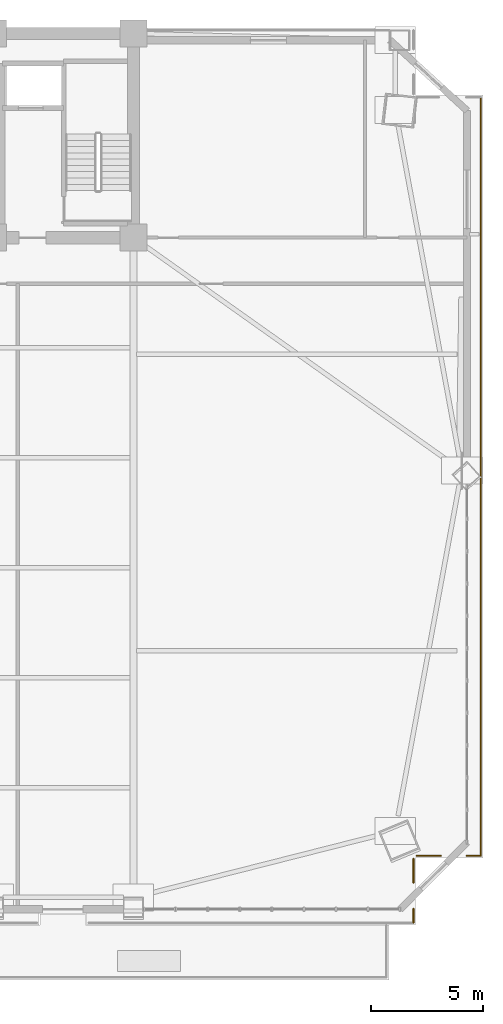
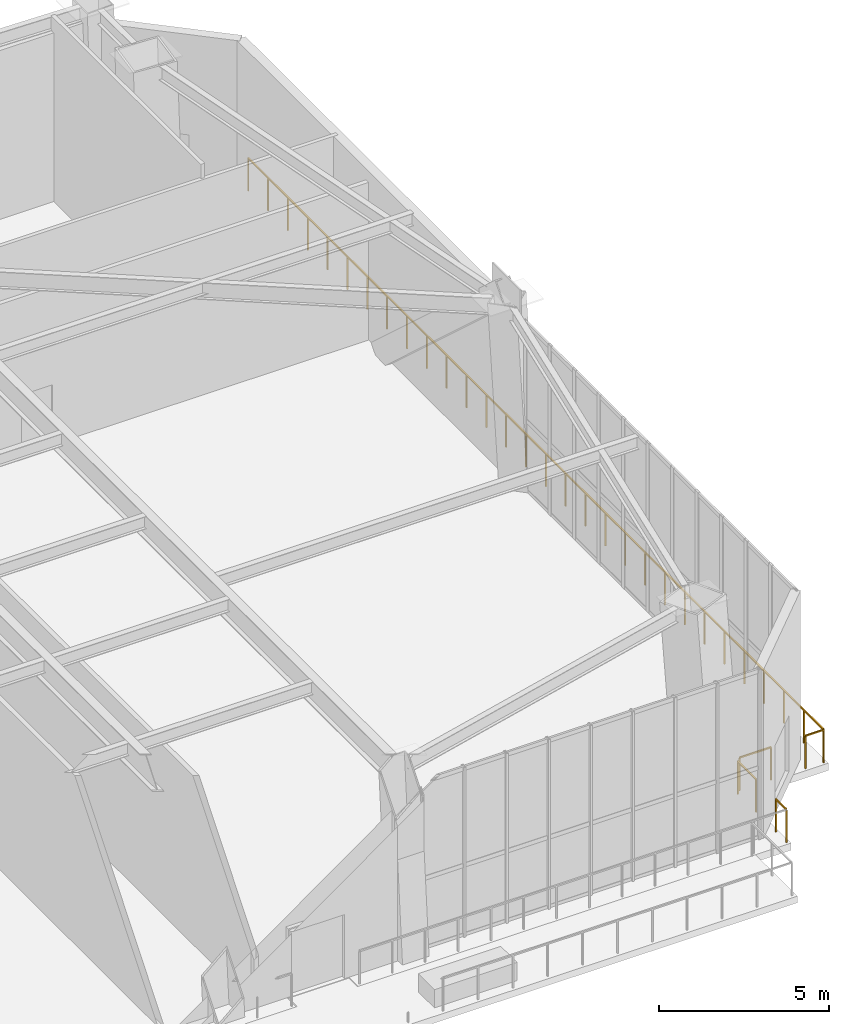
# One storey, part 20 of 22: 5 railings.
"""IFC4 building model written with IfcOpenShell, lengths in metres."""

from ifc_helpers import new_model, si_unit, direction, frame, origin, origin_2d, place, context, subcontext, project, spatial, rectangle, extrude, material, type_object, element, save


model = new_model("IFC4")

# Units and contexts
model_context = context("Model", 3, precision=1e-05, world=origin(), true_north=direction((0.0, 1.0)))
body_context = subcontext(model_context, "Body", "Model", "MODEL_VIEW")
ifc_project = project(units=[si_unit("LENGTHUNIT", "METRE"), si_unit("AREAUNIT", "SQUARE_METRE"), si_unit("VOLUMEUNIT", "CUBIC_METRE"), si_unit("PLANEANGLEUNIT", "RADIAN"), si_unit("MASSUNIT", "GRAM", prefix="KILO")], contexts=[model_context])

# Site, building, storey
site_placement = place(None, origin())
site = spatial("IfcSite", under=ifc_project, at=site_placement, CompositionType="ELEMENT")
building_placement = place(site_placement, origin())
building = spatial("IfcBuilding", under=site, at=building_placement, Name="Giltprow Tower", CompositionType="ELEMENT")
storey_placement = place(building_placement, frame((0.0, 0.0, 130.89990234375)))
storey = spatial("IfcBuildingStorey", under=building, at=storey_placement, Name="L32", CompositionType="ELEMENT", Elevation=130.89990234375)

# Railings
ifc_material = material(Name="Anodized bronze", Category="metal")
railing_type = type_object("IfcRailingType", Name="RAIL-BALC-GUARD-1200", PredefinedType="BALUSTRADE", material=ifc_material)
railing_1_placement = place(storey_placement, frame((66.02099609375, 43.708984375, 0.0)))
element("IfcRailing", 1, at=railing_1_placement, inside=storey, type_object=railing_type, Name="L32 Corner Apron Edge Balustrade 16", PredefinedType="BALUSTRADE", context=body_context, shape_type="SweptSolid", body=[
    extrude(rectangle(XDim=0.048095703125, YDim=0.048095703125, at=origin_2d()), frame((0.0, 0.0, 1.17578125), z_axis=(0.0, -1.0, 0.0), x_axis=(1.0, 0.0, 0.0)), (0.0, 0.0, 1.0), 33.800048828125),
    extrude(rectangle(XDim=0.0419921875, YDim=0.0419921875, at=origin_2d()), origin(), (0.0, 0.0, 1.0), 1.15185546875),
    extrude(rectangle(XDim=0.0419921875, YDim=0.0419921875, at=origin_2d()), frame((0.0, -1.16552734375, 0.0)), (0.0, 0.0, 1.0), 1.15185546875),
    extrude(rectangle(XDim=0.0419921875, YDim=0.0419921875, at=origin_2d()), frame((0.0, -2.3310546875, 0.0)), (0.0, 0.0, 1.0), 1.15185546875),
    extrude(rectangle(XDim=0.0419921875, YDim=0.0419921875, at=origin_2d()), frame((0.0, -3.49658203125, 0.0)), (0.0, 0.0, 1.0), 1.15185546875),
    extrude(rectangle(XDim=0.0419921875, YDim=0.0419921875, at=origin_2d()), frame((0.0, -4.662109375, 0.0)), (0.0, 0.0, 1.0), 1.15185546875),
    extrude(rectangle(XDim=0.0419921875, YDim=0.0419921875, at=origin_2d()), frame((0.0, -5.82763671875, 0.0)), (0.0, 0.0, 1.0), 1.15185546875),
    extrude(rectangle(XDim=0.0419921875, YDim=0.0419921875, at=origin_2d()), frame((0.0, -6.9931640625, 0.0)), (0.0, 0.0, 1.0), 1.15185546875),
    extrude(rectangle(XDim=0.0419921875, YDim=0.0419921875, at=origin_2d()), frame((0.0, -8.15869140625, 0.0)), (0.0, 0.0, 1.0), 1.15185546875),
    extrude(rectangle(XDim=0.0419921875, YDim=0.0419921875, at=origin_2d()), frame((0.0, -9.32421875, 0.0)), (0.0, 0.0, 1.0), 1.15185546875),
    extrude(rectangle(XDim=0.0419921875, YDim=0.0419921875, at=origin_2d()), frame((0.0, -10.48974609375, 0.0)), (0.0, 0.0, 1.0), 1.15185546875),
    extrude(rectangle(XDim=0.0419921875, YDim=0.0419921875, at=origin_2d()), frame((0.0, -11.6552734375, 0.0)), (0.0, 0.0, 1.0), 1.15185546875),
    extrude(rectangle(XDim=0.0419921875, YDim=0.0419921875, at=origin_2d()), frame((0.0, -12.82080078125, 0.0)), (0.0, 0.0, 1.0), 1.15185546875),
    extrude(rectangle(XDim=0.0419921875, YDim=0.0419921875, at=origin_2d()), frame((0.0, -13.986328125, 0.0)), (0.0, 0.0, 1.0), 1.15185546875),
    extrude(rectangle(XDim=0.0419921875, YDim=0.0419921875, at=origin_2d()), frame((0.0, -15.15185546875, 0.0)), (0.0, 0.0, 1.0), 1.15185546875),
    extrude(rectangle(XDim=0.0419921875, YDim=0.0419921875, at=origin_2d()), frame((0.0, -16.3173828125, 0.0)), (0.0, 0.0, 1.0), 1.15185546875),
    extrude(rectangle(XDim=0.0419921875, YDim=0.0419921875, at=origin_2d()), frame((0.0, -17.482666015625, 0.0)), (0.0, 0.0, 1.0), 1.15185546875),
    extrude(rectangle(XDim=0.0419921875, YDim=0.0419921875, at=origin_2d()), frame((0.0, -18.648193359375, 0.0)), (0.0, 0.0, 1.0), 1.15185546875),
    extrude(rectangle(XDim=0.0419921875, YDim=0.0419921875, at=origin_2d()), frame((0.0, -19.813720703125, 0.0)), (0.0, 0.0, 1.0), 1.15185546875),
    extrude(rectangle(XDim=0.0419921875, YDim=0.0419921875, at=origin_2d()), frame((0.0, -20.979248046875, 0.0)), (0.0, 0.0, 1.0), 1.15185546875),
    extrude(rectangle(XDim=0.0419921875, YDim=0.0419921875, at=origin_2d()), frame((0.0, -22.144775390625, 0.0)), (0.0, 0.0, 1.0), 1.15185546875),
    extrude(rectangle(XDim=0.0419921875, YDim=0.0419921875, at=origin_2d()), frame((0.0, -23.310302734375, 0.0)), (0.0, 0.0, 1.0), 1.15185546875),
    extrude(rectangle(XDim=0.0419921875, YDim=0.0419921875, at=origin_2d()), frame((0.0, -24.475830078125, 0.0)), (0.0, 0.0, 1.0), 1.15185546875),
    extrude(rectangle(XDim=0.0419921875, YDim=0.0419921875, at=origin_2d()), frame((0.0, -25.641357421875, 0.0)), (0.0, 0.0, 1.0), 1.15185546875),
    extrude(rectangle(XDim=0.0419921875, YDim=0.0419921875, at=origin_2d()), frame((0.0, -26.806884765625, 0.0)), (0.0, 0.0, 1.0), 1.15185546875),
    extrude(rectangle(XDim=0.0419921875, YDim=0.0419921875, at=origin_2d()), frame((0.0, -27.972412109375, 0.0)), (0.0, 0.0, 1.0), 1.15185546875),
    extrude(rectangle(XDim=0.0419921875, YDim=0.0419921875, at=origin_2d()), frame((0.0, -29.137939453125, 0.0)), (0.0, 0.0, 1.0), 1.15185546875),
    extrude(rectangle(XDim=0.0419921875, YDim=0.0419921875, at=origin_2d()), frame((0.0, -30.303466796875, 0.0)), (0.0, 0.0, 1.0), 1.15185546875),
    extrude(rectangle(XDim=0.0419921875, YDim=0.0419921875, at=origin_2d()), frame((0.0, -31.468994140625, 0.0)), (0.0, 0.0, 1.0), 1.15185546875),
    extrude(rectangle(XDim=0.0419921875, YDim=0.0419921875, at=origin_2d()), frame((0.0, -32.634521484375, 0.0)), (0.0, 0.0, 1.0), 1.15185546875),
    extrude(rectangle(XDim=0.0419921875, YDim=0.0419921875, at=origin_2d()), frame((0.0, -33.800048828125, 0.0)), (0.0, 0.0, 1.0), 1.15185546875),
])
railing_2_placement = place(storey_placement, frame((66.02099609375, 9.908935546875, 0.0)))
element("IfcRailing", 2, at=railing_2_placement, inside=storey, type_object=railing_type, Name="L32 Corner Apron Edge Balustrade 17", PredefinedType="BALUSTRADE", context=body_context, shape_type="SweptSolid", body=[
    extrude(rectangle(XDim=0.048095703125, YDim=0.048095703125, at=origin_2d()), frame((0.0, 0.0, 1.17578125), z_axis=(-1.0, 0.0, 0.0), x_axis=(0.0, -1.0, 0.0)), (0.0, 0.0, 1.0), 0.6201171875),
    extrude(rectangle(XDim=0.0419921875, YDim=0.0419921875, at=origin_2d()), origin(), (0.0, 0.0, 1.0), 1.15185546875),
    extrude(rectangle(XDim=0.0419921875, YDim=0.0419921875, at=origin_2d()), frame((-0.6201171875, 0.0, 0.0)), (0.0, 0.0, 1.0), 1.15185546875),
])
railing_3_placement = place(storey_placement, frame((64.240966796875, 9.908935546875, 0.0)))
element("IfcRailing", 3, at=railing_3_placement, inside=storey, type_object=railing_type, Name="L32 Corner Apron Edge Balustrade 18", PredefinedType="BALUSTRADE", context=body_context, shape_type="SweptSolid", body=[
    extrude(rectangle(XDim=0.048095703125, YDim=0.048095703125, at=origin_2d()), frame((0.0, 0.0, 1.17578125), z_axis=(-1.0, 0.0, 0.0), x_axis=(0.0, -1.0, 0.0)), (0.0, 0.0, 1.0), 1.075927734375),
    extrude(rectangle(XDim=0.0419921875, YDim=0.0419921875, at=origin_2d()), origin(), (0.0, 0.0, 1.0), 1.15185546875),
    extrude(rectangle(XDim=0.0419921875, YDim=0.0419921875, at=origin_2d()), frame((-1.075927734375, 0.0, 0.0)), (0.0, 0.0, 1.0), 1.15185546875),
])
railing_4_placement = place(storey_placement, frame((63.030029296875, 9.77392578125, 0.0)))
element("IfcRailing", 4, at=railing_4_placement, inside=storey, type_object=railing_type, Name="L32 Corner Apron Edge Balustrade 19", PredefinedType="BALUSTRADE", context=body_context, shape_type="SweptSolid", body=[
    extrude(rectangle(XDim=0.048095703125, YDim=0.048095703125, at=origin_2d()), frame((0.0, 0.0, 1.17578125), z_axis=(0.0, -1.0, 0.0), x_axis=(1.0, 0.0, 0.0)), (0.0, 0.0, 1.0), 1.075927734375),
    extrude(rectangle(XDim=0.0419921875, YDim=0.0419921875, at=origin_2d()), origin(), (0.0, 0.0, 1.0), 1.15185546875),
    extrude(rectangle(XDim=0.0419921875, YDim=0.0419921875, at=origin_2d()), frame((0.0, -1.075927734375, 0.0)), (0.0, 0.0, 1.0), 1.15185546875),
])
railing_5_placement = place(storey_placement, frame((63.030029296875, 7.5380859375, 0.0)))
element("IfcRailing", 5, at=railing_5_placement, inside=storey, type_object=railing_type, Name="L32 Corner Apron Edge Balustrade 20", PredefinedType="BALUSTRADE", context=body_context, shape_type="SweptSolid", body=[
    extrude(rectangle(XDim=0.048095703125, YDim=0.048095703125, at=origin_2d()), frame((0.0, 0.0, 1.17578125), z_axis=(0.0, -1.0, 0.0), x_axis=(1.0, 0.0, 0.0)), (0.0, 0.0, 1.0), 0.6201171875),
    extrude(rectangle(XDim=0.0419921875, YDim=0.0419921875, at=origin_2d()), origin(), (0.0, 0.0, 1.0), 1.15185546875),
    extrude(rectangle(XDim=0.0419921875, YDim=0.0419921875, at=origin_2d()), frame((0.0, -0.6201171875, 0.0)), (0.0, 0.0, 1.0), 1.15185546875),
])

save(model, "model.ifc")
